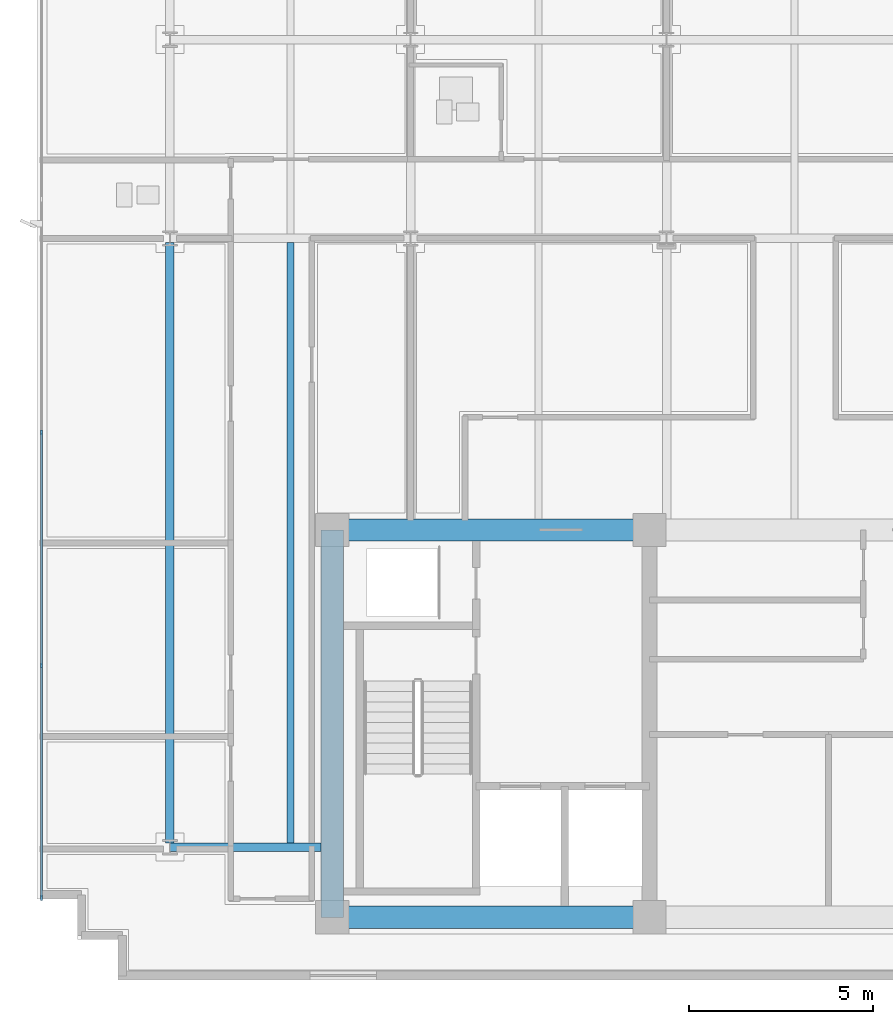
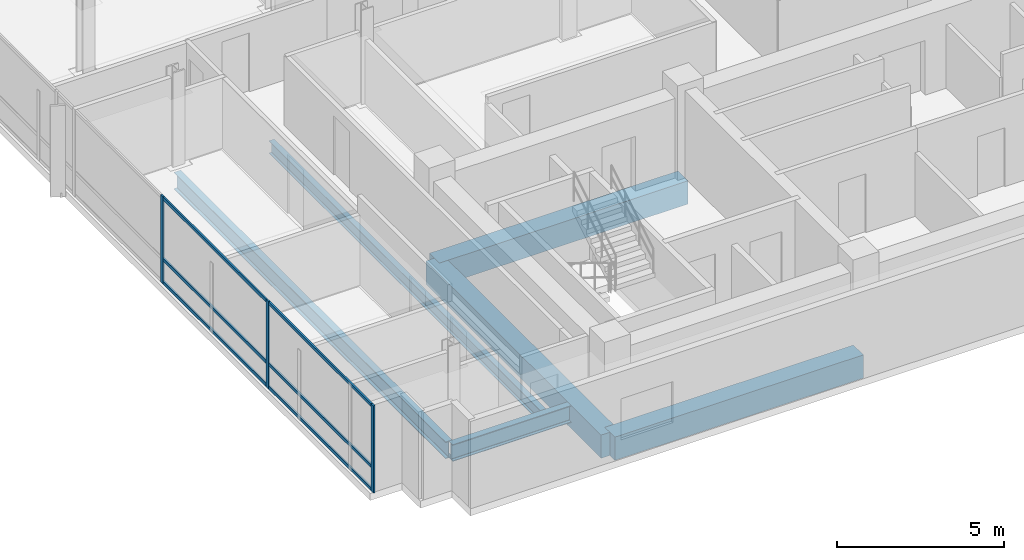
# One storey, part 2 of 19: 9 members, 6 beams, 1 element without a shape of its own.
"""IFC4 building model written with IfcOpenShell, lengths in metres."""

import ifcopenshell
import ifcopenshell.guid

model = None  # the IFC model being written
_history = None  # IfcOwnerHistory: only IFC2X3 demands one
_inside = {}  # id of a spatial element -> (the spatial element, [elements in it])
_under = {}  # id of a project, library or spatial element -> (it, [spatial elements below it])
_declared = {}  # id of a project -> (the project, [libraries it declares])
_typed = {}  # id of a type object -> (the type object, [elements of that type])
_made_of = {}  # id of a material, layer set ... -> (it, [elements and type objects made of it])


def new_model(schema):
    """Start an empty IFC model of exactly this schema.

    Asked for "IFC4X3", IfcOpenShell would pick the latest addendum, in which some entities
    have other attributes; the version numbers below select the first issue.
    IFC2X3 requires an IfcOwnerHistory on every rooted entity: one is made here for all.
    """
    global model, _history
    if schema == "IFC4X3":
        model = ifcopenshell.file(schema_version=(4, 3, 0, 0))
    else:
        model = ifcopenshell.file(schema=schema)
    _inside.clear()
    _under.clear()
    _declared.clear()
    _typed.clear()
    _made_of.clear()
    _history = None
    if model.schema == "IFC2X3":
        org = make("IfcOrganization", Name="unknown")
        user = make(
            "IfcPersonAndOrganization",
            ThePerson=make("IfcPerson", FamilyName="unknown"),
            TheOrganization=org,
        )
        app = make(
            "IfcApplication",
            ApplicationDeveloper=org,
            Version="unknown",
            ApplicationFullName="unknown",
            ApplicationIdentifier="unknown",
        )
        _history = make(
            "IfcOwnerHistory",
            OwningUser=user,
            OwningApplication=app,
            ChangeAction="ADDED",
            CreationDate=0,
        )
    return model


def make(cls, **values):
    """One entity of the class cls with the attributes given. An attribute that is None is left unset."""
    return model.create_entity(
        cls, **{name: value for name, value in values.items() if value is not None}
    )


def rooted(cls, **values):
    """An entity with a GlobalId (a new one), such as an element, a storey or a relation."""
    return make(cls, GlobalId=ifcopenshell.guid.new(), OwnerHistory=_history, **values)


def si_unit(unit_type, name, prefix=None):
    """IfcSIUnit, for example si_unit("LENGTHUNIT", "METRE", prefix="MILLI")."""
    return make("IfcSIUnit", UnitType=unit_type, Prefix=prefix, Name=name)


def assignment(units):
    """IfcUnitAssignment: the units of a project."""
    return None if units is None else make("IfcUnitAssignment", Units=units)


def point(xyz):
    """IfcCartesianPoint."""
    return None if xyz is None else make("IfcCartesianPoint", Coordinates=xyz)


def direction(xyz):
    """IfcDirection."""
    return None if xyz is None else make("IfcDirection", DirectionRatios=xyz)


def frame(location, z_axis=None, x_axis=None):
    """IfcAxis2Placement3D, a coordinate frame: its origin and axes. An axis left out is left unset."""
    return make(
        "IfcAxis2Placement3D",
        Location=point(location),
        Axis=direction(z_axis),
        RefDirection=direction(x_axis),
    )


def frame_2d(location, x_axis=None):
    """IfcAxis2Placement2D, a coordinate frame in the plane: its origin and x axis."""
    return make(
        "IfcAxis2Placement2D", Location=point(location), RefDirection=direction(x_axis)
    )


def origin():
    """The frame at (0, 0, 0) with its axes left unset."""
    return frame((0.0, 0.0, 0.0))


def origin_2d():
    """The frame at (0, 0) in the plane with its x axis left unset."""
    return frame_2d((0.0, 0.0))


def place(relative_to, where):
    """IfcLocalPlacement: puts the frame where relative to a parent placement (None: the world)."""
    return make(
        "IfcLocalPlacement", PlacementRelTo=relative_to, RelativePlacement=where
    )


def context(
    kind, dimensions, precision=None, world=None, true_north=None, identifier=None
):
    """IfcGeometricRepresentationContext, for example the 3D "Model" context."""
    return make(
        "IfcGeometricRepresentationContext",
        ContextIdentifier=identifier,
        ContextType=kind,
        CoordinateSpaceDimension=dimensions,
        Precision=precision,
        WorldCoordinateSystem=world,
        TrueNorth=true_north,
    )


def subcontext(parent, identifier, kind, view, scale=None):
    """IfcGeometricRepresentationSubContext, for example "Body" below "Model"."""
    return make(
        "IfcGeometricRepresentationSubContext",
        ContextIdentifier=identifier,
        ContextType=kind,
        ParentContext=parent,
        TargetScale=scale,
        TargetView=view,
    )


def project(units=None, contexts=None):
    """IfcProject with its units and contexts."""
    return rooted(
        "IfcProject",
        Name="project",
        RepresentationContexts=contexts,
        UnitsInContext=assignment(units),
    )


def spatial(cls, under=None, at=None, **own):
    """A site, building, storey or space (cls), placed at a placement, below another one or the project."""
    s = rooted(cls, ObjectPlacement=at, **own)
    if under is not None:
        _under.setdefault(under.id(), (under, []))[1].append(s)
    return s


def profile(cls, at=None, kind="AREA", **sizes):
    """A parametric profile (cls). Its sizes go by their IFC names, for example OverallWidth=200.0."""
    return make(cls, ProfileType=kind, Position=at, **sizes)


def rectangle(**sizes):
    """IfcRectangleProfileDef."""
    return profile("IfcRectangleProfileDef", **sizes)


def i_section(**sizes):
    """IfcIShapeProfileDef."""
    return profile("IfcIShapeProfileDef", **sizes)


def extrude(swept, where, along, depth):
    """IfcExtrudedAreaSolid: the profile swept, set in the frame where, extruded along a direction by depth."""
    return make(
        "IfcExtrudedAreaSolid",
        SweptArea=swept,
        Position=where,
        ExtrudedDirection=direction(along),
        Depth=depth,
    )


def shape(context_of_items, identifier, shape_type, items):
    """IfcShapeRepresentation: the items that make up one representation, for example the "Body"."""
    return make(
        "IfcShapeRepresentation",
        ContextOfItems=context_of_items,
        RepresentationIdentifier=identifier,
        RepresentationType=shape_type,
        Items=items,
    )


def material(Name=None, Category=None):
    """IfcMaterial."""
    return make("IfcMaterial", Name=Name, Category=Category)


def material_profile(
    of_material, cross_section, Name=None, Category=None, Priority=None
):
    """IfcMaterialProfile: a cross section and its material."""
    return make(
        "IfcMaterialProfile",
        Name=Name,
        Material=of_material,
        Profile=cross_section,
        Priority=Priority,
        Category=Category,
    )


def profile_set(profiles, Name=None, composite=None):
    """IfcMaterialProfileSet."""
    return make(
        "IfcMaterialProfileSet",
        Name=Name,
        MaterialProfiles=profiles,
        CompositeProfile=composite,
    )


def made_of(thing, what):
    """Note that an element or type object is made of a material, layer set ...; save() writes the relation."""
    if what is not None:
        _made_of.setdefault(what.id(), (what, []))[1].append(thing)
    return thing


def type_object(cls, material=None, **own):
    """A type object (cls), such as IfcWallType, which elements share."""
    return made_of(rooted(cls, **own), material)


def element(
    cls,
    number,
    at=None,
    inside=None,
    cuts=None,
    type_object=None,
    material=None,
    context=None,
    identifier="Body",
    shape_type=None,
    held_by="IfcProductDefinitionShape",
    body=None,
    shapes=None,
    **own,
):
    """One element of the class cls, such as IfcWall. Its Tag is "e" and its number.

    at: its placement. inside: the storey or other place that contains it. cuts: it is an
    opening in that element (IfcRelVoidsElement). A single representation is given by context,
    identifier, shape_type and body (its items); several are given by shapes. held_by: the class
    of the entity that holds the representations. save() writes the other relations.
    """
    e = rooted(cls, Tag="e%d" % number, ObjectPlacement=at, **own)
    if body is not None:
        shapes = [shape(context, identifier, shape_type, body)]
    if shapes is not None:
        e.Representation = make(held_by, Representations=shapes)
    if inside is not None:
        _inside.setdefault(inside.id(), (inside, []))[1].append(e)
    if cuts is not None:
        rooted(
            "IfcRelVoidsElement", RelatingBuildingElement=cuts, RelatedOpeningElement=e
        )
    if type_object is not None:
        _typed.setdefault(type_object.id(), (type_object, []))[1].append(e)
    return made_of(e, material)


def aggregate(whole, parts):
    """IfcRelAggregates: a whole, such as a stair, and the parts it consists of."""
    return rooted("IfcRelAggregates", RelatingObject=whole, RelatedObjects=parts)


def save(model, path):
    """Write the relations noted so far, then the file.

    IfcRelAggregates (storeys below a building ...), IfcRelContainedInSpatialStructure (elements
    in a storey), IfcRelDefinesByType, IfcRelAssociatesMaterial and IfcRelDeclares: one each for
    every whole, place, type object, material and project.
    """
    for whole, parts in _under.values():
        aggregate(whole, parts)
    for where, things in _inside.values():
        rooted(
            "IfcRelContainedInSpatialStructure",
            RelatedElements=things,
            RelatingStructure=where,
        )
    for kind, things in _typed.values():
        rooted("IfcRelDefinesByType", RelatedObjects=things, RelatingType=kind)
    for what, things in _made_of.values():
        rooted("IfcRelAssociatesMaterial", RelatedObjects=things, RelatingMaterial=what)
    for by, libraries in _declared.values():
        rooted("IfcRelDeclares", RelatingContext=by, RelatedDefinitions=libraries)
    model.write(path)


model = new_model("IFC4")

# Units and contexts
model_context = context("Model", 3, precision=1e-05, world=origin(), true_north=direction((0.0, 1.0)))
body_context = subcontext(model_context, "Body", "Model", "MODEL_VIEW")
ifc_project = project(units=[si_unit("LENGTHUNIT", "METRE"), si_unit("AREAUNIT", "SQUARE_METRE"), si_unit("VOLUMEUNIT", "CUBIC_METRE"), si_unit("PLANEANGLEUNIT", "RADIAN"), si_unit("MASSUNIT", "GRAM", prefix="KILO")], contexts=[model_context])

# Site, building, storey
site_placement = place(None, origin())
site = spatial("IfcSite", under=ifc_project, at=site_placement, CompositionType="ELEMENT")
building_placement = place(site_placement, origin())
building = spatial("IfcBuilding", under=site, at=building_placement, Name="Solmavex Isthmus Hotel", CompositionType="ELEMENT")
storey_placement = place(building_placement, frame((0.0, 0.0, 262.64990234375)))
storey = spatial("IfcBuildingStorey", under=building, at=storey_placement, Name="L71", CompositionType="ELEMENT", Elevation=262.64990234375)

# Beams
ifc_material_1 = material(Name="Steel ASTM A992 Grade 50", Category="steel")
ifc_material_profile_1 = material_profile(ifc_material_1, i_section(OverallWidth=0.1904296875, OverallDepth=0.456787109375, WebThickness=0.009033203125, FlangeThickness=0.014404296875, FilletRadius=0.0126953125, at=origin_2d()), Name="W18X50")
ifc_profile_set_1 = profile_set([ifc_material_profile_1], Name="Steel ASTM A992 Grade 50")
beam_type_1 = type_object("IfcBeamType", Name="BM-BJ-W18X50", PredefinedType="JOIST", material=ifc_profile_set_1)
beam_1_placement = place(storey_placement, frame((-17.135986328125, -10.98486328125, -0.48828125), z_axis=(0.0, 1.0, 0.0), x_axis=(-1.0, 0.0, 0.0)))
element("IfcBeam", 1, at=beam_1_placement, inside=storey, type_object=beam_type_1, Name="Secondary Floor Joist L71-J01", PredefinedType="JOIST", context=body_context, shape_type="SweptSolid", body=[
    extrude(i_section(OverallWidth=0.1904296875, OverallDepth=0.456787109375, WebThickness=0.009033203125, FlangeThickness=0.014404296875, FilletRadius=0.0126953125, at=origin_2d()), origin(), (0.0, 0.0, 1.0), 16.27099609375),
])
ifc_material_2 = material(Name="Concrete C50/60", Category="concrete")
ifc_material_profile_2 = material_profile(ifc_material_2, rectangle(XDim=0.60009765625, YDim=0.85009765625, at=origin_2d()), Name="RC600X850")
ifc_profile_set_2 = profile_set([ifc_material_profile_2], Name="Concrete C50/60")
beam_type_2 = type_object("IfcBeamType", Name="BM-CB-600X850", PredefinedType="BEAM", material=ifc_profile_set_2)
for number, where, z_axis, x_axis, name in (
    (2, (-16.0, -13.0, -0.684814453125), (1.0, 0.0, 0.0), (0.0, 1.0, 0.0), "Core Coupling Beam L71-CB1"),
    (3, (-16.0, -2.5, -0.684814453125), (1.0, 0.0, 0.0), (0.0, 1.0, 0.0), "Core Coupling Beam L71-CB4"),
):
    element("IfcBeam", number, at=place(storey_placement, frame(where, z_axis=z_axis, x_axis=x_axis)), inside=storey, type_object=beam_type_2, Name=name, PredefinedType="BEAM", context=body_context, shape_type="SweptSolid", body=[
        extrude(rectangle(XDim=0.60009765625, YDim=0.85009765625, at=origin_2d()), origin(), (0.0, 0.0, 1.0), 8.60009765625),
    ])
beam_2_placement = place(storey_placement, frame((-16.0, -13.0, -0.684814453125), z_axis=(0.0, 1.0, 0.0), x_axis=(-1.0, 0.0, 0.0)))
element("IfcBeam", 4, at=beam_2_placement, inside=storey, type_object=beam_type_2, Name="Core Coupling Beam L71-CB7", PredefinedType="BEAM", context=body_context, shape_type="SweptSolid", body=[
    extrude(rectangle(XDim=0.60009765625, YDim=0.85009765625, at=origin_2d()), origin(), (0.0, 0.0, 1.0), 10.5),
])
ifc_material_profile_3 = material_profile(ifc_material_1, i_section(OverallWidth=0.230224609375, OverallDepth=0.617431640625, WebThickness=0.01318359375, FlangeThickness=0.022216796875, FilletRadius=0.01513671875, at=origin_2d()), Name="W24X94")
ifc_profile_set_3 = profile_set([ifc_material_profile_3], Name="Steel ASTM A992 Grade 50")
beam_type_3 = type_object("IfcBeamType", Name="BM-SP-W24X94", PredefinedType="SPANDREL", material=ifc_profile_set_3)
beam_3_placement = place(storey_placement, frame((-20.39990234375, -11.10009765625, -0.568603515625), z_axis=(1.0, 0.0, 0.0), x_axis=(0.0, 1.0, 0.0)))
element("IfcBeam", 5, at=beam_3_placement, inside=storey, type_object=beam_type_3, Name="Floor Girder L71-UG01", PredefinedType="SPANDREL", context=body_context, shape_type="SweptSolid", body=[
    extrude(i_section(OverallWidth=0.230224609375, OverallDepth=0.617431640625, WebThickness=0.01318359375, FlangeThickness=0.022216796875, FilletRadius=0.01513671875, at=origin_2d()), origin(), (0.0, 0.0, 1.0), 4.099853515625),
])
beam_4_placement = place(storey_placement, frame((-20.39990234375, -10.98486328125, -0.568603515625), z_axis=(0.0, 1.0, 0.0), x_axis=(-1.0, 0.0, 0.0)))
element("IfcBeam", 6, at=beam_4_placement, inside=storey, type_object=beam_type_3, Name="Floor Beam L71-VG21", PredefinedType="SPANDREL", context=body_context, shape_type="SweptSolid", body=[
    extrude(i_section(OverallWidth=0.230224609375, OverallDepth=0.617431640625, WebThickness=0.01318359375, FlangeThickness=0.022216796875, FilletRadius=0.01513671875, at=origin_2d()), origin(), (0.0, 0.0, 1.0), 16.27099609375),
])

# Curtain wall, members
ifc_material_3 = material(Name="Aluminium alloy 6063-T6", Category="aluminium")
curtain_wall_type = type_object("IfcCurtainWallType", Name="CW-SYS-06", PredefinedType="NOTDEFINED", material=ifc_material_3)
curtain_wall_placement = place(storey_placement, origin())
curtain_wall = element("IfcCurtainWall", 7, at=curtain_wall_placement, inside=storey, type_object=curtain_wall_type, Name="Stick Curtain Wall CWL-L71-W1", PredefinedType="NOTDEFINED")
ifc_material_profile_4 = material_profile(ifc_material_3, rectangle(XDim=0.06005859375, YDim=0.139892578125, at=origin_2d()), Name="CWM-60X140")
ifc_profile_set_4 = profile_set([ifc_material_profile_4], Name="Aluminium alloy 6063-T6")
member_type_1 = type_object("IfcMemberType", Name="CW-SYS-06-MUL", PredefinedType="MULLION", material=ifc_profile_set_4)
member_1_placement = place(storey_placement, frame((-23.8798828125, -12.469970703125, 0.0), z_axis=(0.0, 0.0, 1.0), x_axis=(-1.0, 0.0, 0.0)))
member_1 = element("IfcMember", 8, at=member_1_placement, type_object=member_type_1, Name="CW-06 mullion 1", PredefinedType="MULLION", context=body_context, shape_type="SweptSolid", body=[
    extrude(rectangle(XDim=0.06005859375, YDim=0.139892578125, at=origin_2d()), origin(), (0.0, 0.0, 1.0), 3.190185546875),
])
member_2_placement = place(storey_placement, frame((-23.8798828125, -6.179931640625, 0.0), z_axis=(0.0, 0.0, 1.0), x_axis=(-1.0, 0.0, 0.0)))
member_2 = element("IfcMember", 9, at=member_2_placement, type_object=member_type_1, Name="CW-06 mullion 2", PredefinedType="MULLION", context=body_context, shape_type="SweptSolid", body=[
    extrude(rectangle(XDim=0.06005859375, YDim=0.139892578125, at=origin_2d()), origin(), (0.0, 0.0, 1.0), 3.190185546875),
])
member_3_placement = place(storey_placement, frame((-23.8798828125, 0.139892578125, 0.0), z_axis=(0.0, 0.0, 1.0), x_axis=(-1.0, 0.0, 0.0)))
member_3 = element("IfcMember", 10, at=member_3_placement, type_object=member_type_1, Name="CW-06 mullion 3", PredefinedType="MULLION", context=body_context, shape_type="SweptSolid", body=[
    extrude(rectangle(XDim=0.06005859375, YDim=0.139892578125, at=origin_2d()), origin(), (0.0, 0.0, 1.0), 3.190185546875),
])
ifc_material_profile_5 = material_profile(ifc_material_3, rectangle(XDim=0.06005859375, YDim=0.114990234375, at=origin_2d()), Name="CWT-60X115")
ifc_profile_set_5 = profile_set([ifc_material_profile_5], Name="Aluminium alloy 6063-T6")
member_type_2 = type_object("IfcMemberType", Name="CW-SYS-06-TRN", PredefinedType="USERDEFINED", material=ifc_profile_set_5)
member_4_placement = place(storey_placement, frame((-23.8798828125, -12.43994140625, 0.0576171875), z_axis=(0.0, 1.0, 0.0), x_axis=(-1.0, 0.0, 0.0)))
member_4 = element("IfcMember", 11, at=member_4_placement, type_object=member_type_2, Name="CW-06 transom 1.1", ObjectType="TRANSOM", PredefinedType="USERDEFINED", context=body_context, shape_type="SweptSolid", body=[
    extrude(rectangle(XDim=0.06005859375, YDim=0.114990234375, at=origin_2d()), origin(), (0.0, 0.0, 1.0), 6.22998046875),
])
member_5_placement = place(storey_placement, frame((-23.8798828125, -12.43994140625, 0.900146484375), z_axis=(0.0, 1.0, 0.0), x_axis=(-1.0, 0.0, 0.0)))
member_5 = element("IfcMember", 12, at=member_5_placement, type_object=member_type_2, Name="CW-06 transom 1.2", ObjectType="TRANSOM", PredefinedType="USERDEFINED", context=body_context, shape_type="SweptSolid", body=[
    extrude(rectangle(XDim=0.06005859375, YDim=0.114990234375, at=origin_2d()), origin(), (0.0, 0.0, 1.0), 6.22998046875),
])
member_6_placement = place(storey_placement, frame((-23.8798828125, -12.43994140625, 3.132568359375), z_axis=(0.0, 1.0, 0.0), x_axis=(-1.0, 0.0, 0.0)))
member_6 = element("IfcMember", 13, at=member_6_placement, type_object=member_type_2, Name="CW-06 transom 1.3", ObjectType="TRANSOM", PredefinedType="USERDEFINED", context=body_context, shape_type="SweptSolid", body=[
    extrude(rectangle(XDim=0.06005859375, YDim=0.114990234375, at=origin_2d()), origin(), (0.0, 0.0, 1.0), 6.22998046875),
])
member_7_placement = place(storey_placement, frame((-23.8798828125, -6.14990234375, 0.0576171875), z_axis=(0.0, 1.0, 0.0), x_axis=(-1.0, 0.0, 0.0)))
member_7 = element("IfcMember", 14, at=member_7_placement, type_object=member_type_2, Name="CW-06 transom 2.1", ObjectType="TRANSOM", PredefinedType="USERDEFINED", context=body_context, shape_type="SweptSolid", body=[
    extrude(rectangle(XDim=0.06005859375, YDim=0.114990234375, at=origin_2d()), origin(), (0.0, 0.0, 1.0), 6.260009765625),
])
member_8_placement = place(storey_placement, frame((-23.8798828125, -6.14990234375, 0.900146484375), z_axis=(0.0, 1.0, 0.0), x_axis=(-1.0, 0.0, 0.0)))
member_8 = element("IfcMember", 15, at=member_8_placement, type_object=member_type_2, Name="CW-06 transom 2.2", ObjectType="TRANSOM", PredefinedType="USERDEFINED", context=body_context, shape_type="SweptSolid", body=[
    extrude(rectangle(XDim=0.06005859375, YDim=0.114990234375, at=origin_2d()), origin(), (0.0, 0.0, 1.0), 6.260009765625),
])
member_9_placement = place(storey_placement, frame((-23.8798828125, -6.14990234375, 3.132568359375), z_axis=(0.0, 1.0, 0.0), x_axis=(-1.0, 0.0, 0.0)))
member_9 = element("IfcMember", 16, at=member_9_placement, type_object=member_type_2, Name="CW-06 transom 2.3", ObjectType="TRANSOM", PredefinedType="USERDEFINED", context=body_context, shape_type="SweptSolid", body=[
    extrude(rectangle(XDim=0.06005859375, YDim=0.114990234375, at=origin_2d()), origin(), (0.0, 0.0, 1.0), 6.260009765625),
])
aggregate(curtain_wall, [member_1, member_2, member_3, member_4, member_5, member_6, member_7, member_8, member_9])

save(model, "model.ifc")
